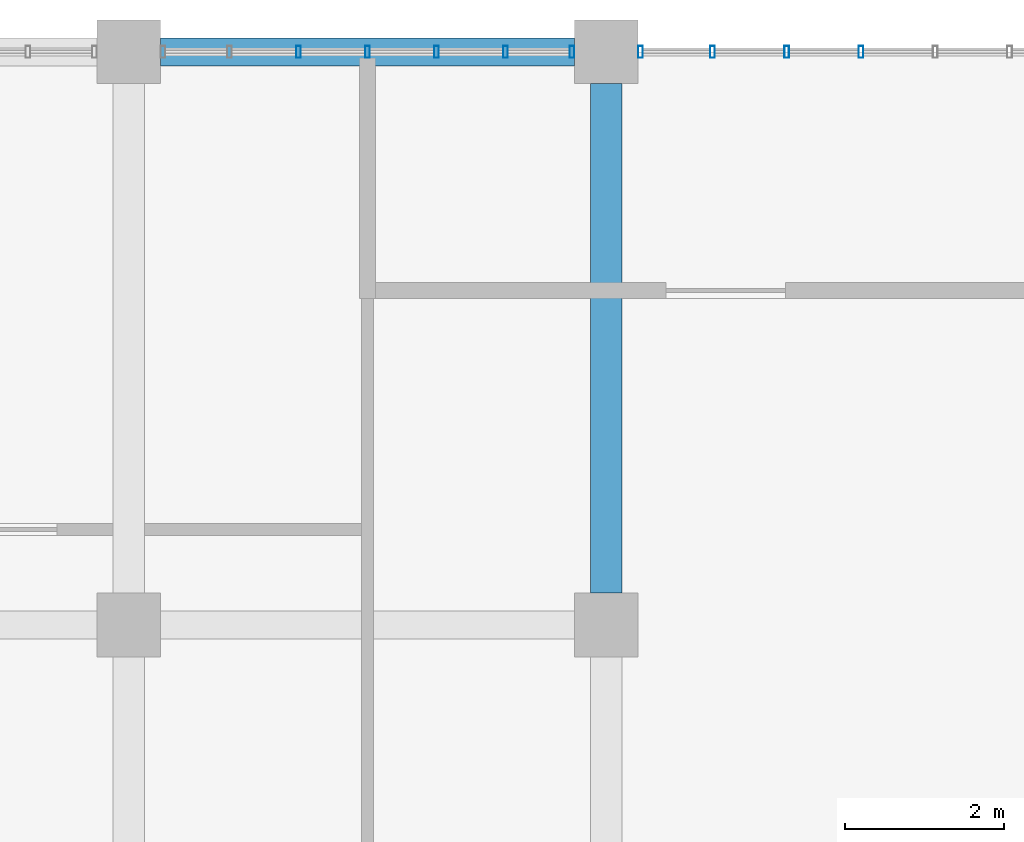
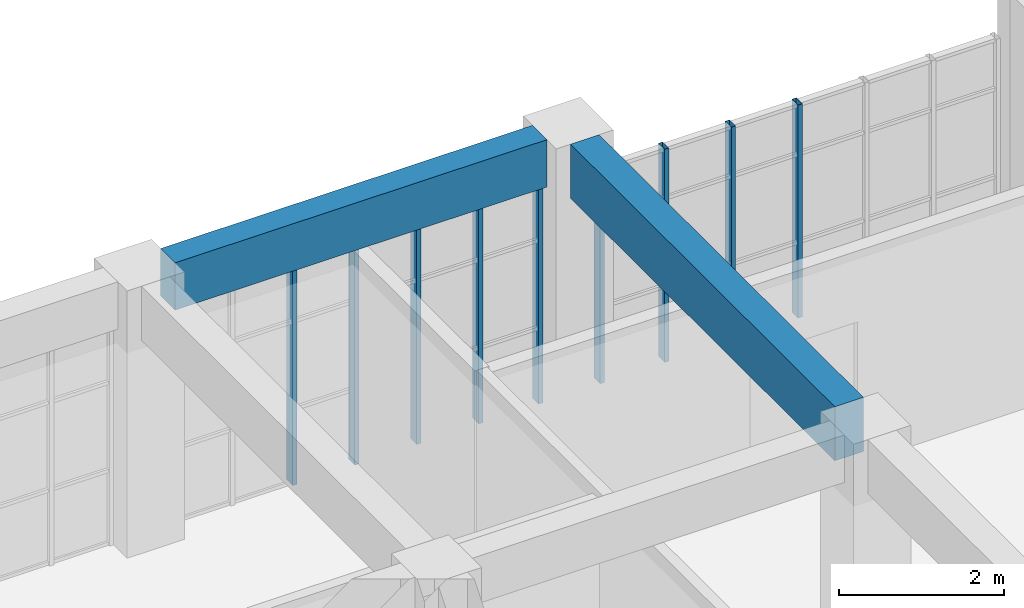
# One storey, part 11 of 51: 9 members, 2 beams, 2 elements without a shape of their own.
"""IFC4 building model written with IfcOpenShell, lengths in metres."""

from ifc_helpers import new_model, si_unit, direction, frame, origin, origin_2d, place, context, subcontext, project, spatial, rectangle, hollow_rectangle, extrude, material, material_profile, profile_set, type_object, element, aggregate, save


model = new_model("IFC4")

# Units and contexts
model_context = context("Model", 3, precision=1e-05, world=origin(), true_north=direction((0.0, 1.0)))
body_context = subcontext(model_context, "Body", "Model", "MODEL_VIEW")
ifc_project = project(units=[si_unit("LENGTHUNIT", "METRE"), si_unit("AREAUNIT", "SQUARE_METRE"), si_unit("VOLUMEUNIT", "CUBIC_METRE"), si_unit("PLANEANGLEUNIT", "RADIAN"), si_unit("MASSUNIT", "GRAM", prefix="KILO")], contexts=[model_context])

# Site, building, storey
site_placement = place(None, origin())
site = spatial("IfcSite", under=ifc_project, at=site_placement, CompositionType="ELEMENT")
building_placement = place(site_placement, origin())
building = spatial("IfcBuilding", under=site, at=building_placement, Name="Laocheng Heights Fire and Rescue Headquarters", CompositionType="ELEMENT")
storey_placement = place(building_placement, frame((0.0, 0.0, 21.0)))
storey = spatial("IfcBuildingStorey", under=building, at=storey_placement, Name="L05", CompositionType="ELEMENT", Elevation=21.0)

# Curtain wall, members
ifc_material_1 = material(Name="Dark anodised aluminium unitised curtain wall, low-e double glazing", Category="aluminium")
curtain_wall_type_1 = type_object("IfcCurtainWallType", Name="CW 5200 x 3250 HQ NORTH GLAZING", PredefinedType="NOTDEFINED", material=ifc_material_1)
curtain_wall_1_placement = place(storey_placement, origin())
curtain_wall_1 = element("IfcCurtainWall", 1, at=curtain_wall_1_placement, inside=storey, type_object=curtain_wall_type_1, Name="X26-X HQ NORTH L05", PredefinedType="NOTDEFINED")
ifc_material_2 = material(Name="Dark anodised aluminium 6063-T5 extrusion", Category="aluminium")
ifc_material_profile_1 = material_profile(ifc_material_2, hollow_rectangle(XDim=0.14990234375, YDim=0.06005859375, WallThickness=0.0029296875, at=origin_2d()), Name="AL MULLION 150x60x3 HQ NORTH GLAZING")
ifc_profile_set_1 = profile_set([ifc_material_profile_1], Name="Dark anodised aluminium 6063-T5 extrusion")
member_type = type_object("IfcMemberType", Name="AL MULLION 150x60x3 HQ NORTH GLAZING", PredefinedType="MULLION", material=ifc_profile_set_1)
member_1_placement = place(storey_placement, frame((56.13330078125, 72.0, 0.0), z_axis=(0.0, 0.0, 1.0), x_axis=(0.0, 1.0, 0.0)))
member_1 = element("IfcMember", 2, at=member_1_placement, type_object=member_type, Name="X26-X mullion 3", PredefinedType="MULLION", context=body_context, shape_type="SweptSolid", body=[
    extrude(hollow_rectangle(XDim=0.14990234375, YDim=0.06005859375, WallThickness=0.0029296875, at=origin_2d()), origin(), (0.0, 0.0, 1.0), 3.25),
])
member_2_placement = place(storey_placement, frame((57.0, 72.0, 0.0), z_axis=(0.0, 0.0, 1.0), x_axis=(0.0, 1.0, 0.0)))
member_2 = element("IfcMember", 3, at=member_2_placement, type_object=member_type, Name="X26-X mullion 4", PredefinedType="MULLION", context=body_context, shape_type="SweptSolid", body=[
    extrude(hollow_rectangle(XDim=0.14990234375, YDim=0.06005859375, WallThickness=0.0029296875, at=origin_2d()), origin(), (0.0, 0.0, 1.0), 3.25),
])
member_3_placement = place(storey_placement, frame((57.86669921875, 72.0, 0.0), z_axis=(0.0, 0.0, 1.0), x_axis=(0.0, 1.0, 0.0)))
member_3 = element("IfcMember", 4, at=member_3_placement, type_object=member_type, Name="X26-X mullion 5", PredefinedType="MULLION", context=body_context, shape_type="SweptSolid", body=[
    extrude(hollow_rectangle(XDim=0.14990234375, YDim=0.06005859375, WallThickness=0.0029296875, at=origin_2d()), origin(), (0.0, 0.0, 1.0), 3.25),
])
member_4_placement = place(storey_placement, frame((58.7333984375, 72.0, 0.0), z_axis=(0.0, 0.0, 1.0), x_axis=(0.0, 1.0, 0.0)))
member_4 = element("IfcMember", 5, at=member_4_placement, type_object=member_type, Name="X26-X mullion 6", PredefinedType="MULLION", context=body_context, shape_type="SweptSolid", body=[
    extrude(hollow_rectangle(XDim=0.14990234375, YDim=0.06005859375, WallThickness=0.0029296875, at=origin_2d()), origin(), (0.0, 0.0, 1.0), 3.25),
])
member_5_placement = place(storey_placement, frame((59.570068359375, 72.0, 0.0), z_axis=(0.0, 0.0, 1.0), x_axis=(0.0, 1.0, 0.0)))
member_5 = element("IfcMember", 6, at=member_5_placement, type_object=member_type, Name="X26-X mullion 7", PredefinedType="MULLION", context=body_context, shape_type="SweptSolid", body=[
    extrude(hollow_rectangle(XDim=0.14990234375, YDim=0.06005859375, WallThickness=0.0029296875, at=origin_2d()), origin(), (0.0, 0.0, 1.0), 3.25),
])
aggregate(curtain_wall_1, [member_1, member_2, member_3, member_4, member_5])

ifc_material_3 = material(Name="Dark anodised aluminium unitised curtain wall, low-e double glazing", Category="aluminium")
curtain_wall_type_2 = type_object("IfcCurtainWallType", Name="CW 5600 x 3150 HQ NORTH GLAZING", PredefinedType="NOTDEFINED", material=ifc_material_3)
curtain_wall_2_placement = place(storey_placement, origin())
curtain_wall_2 = element("IfcCurtainWall", 7, at=curtain_wall_2_placement, inside=storey, type_object=curtain_wall_type_2, Name="X27-X HQ NORTH L05", PredefinedType="NOTDEFINED")
member_6_placement = place(storey_placement, frame((60.429931640625, 72.0, 0.0), z_axis=(0.0, 0.0, 1.0), x_axis=(0.0, 1.0, 0.0)))
member_6 = element("IfcMember", 8, at=member_6_placement, type_object=member_type, Name="X27-X mullion 1", PredefinedType="MULLION", context=body_context, shape_type="SweptSolid", body=[
    extrude(hollow_rectangle(XDim=0.14990234375, YDim=0.06005859375, WallThickness=0.0029296875, at=origin_2d()), origin(), (0.0, 0.0, 1.0), 3.14990234375),
])
member_7_placement = place(storey_placement, frame((61.333251953125, 72.0, 0.0), z_axis=(0.0, 0.0, 1.0), x_axis=(0.0, 1.0, 0.0)))
member_7 = element("IfcMember", 9, at=member_7_placement, type_object=member_type, Name="X27-X mullion 2", PredefinedType="MULLION", context=body_context, shape_type="SweptSolid", body=[
    extrude(hollow_rectangle(XDim=0.14990234375, YDim=0.06005859375, WallThickness=0.0029296875, at=origin_2d()), origin(), (0.0, 0.0, 1.0), 3.14990234375),
])
member_8_placement = place(storey_placement, frame((62.2666015625, 72.0, 0.0), z_axis=(0.0, 0.0, 1.0), x_axis=(0.0, 1.0, 0.0)))
member_8 = element("IfcMember", 10, at=member_8_placement, type_object=member_type, Name="X27-X mullion 3", PredefinedType="MULLION", context=body_context, shape_type="SweptSolid", body=[
    extrude(hollow_rectangle(XDim=0.14990234375, YDim=0.06005859375, WallThickness=0.0029296875, at=origin_2d()), origin(), (0.0, 0.0, 1.0), 3.14990234375),
])
member_9_placement = place(storey_placement, frame((63.199951171875, 72.0, 0.0), z_axis=(0.0, 0.0, 1.0), x_axis=(0.0, 1.0, 0.0)))
member_9 = element("IfcMember", 11, at=member_9_placement, type_object=member_type, Name="X27-X mullion 4", PredefinedType="MULLION", context=body_context, shape_type="SweptSolid", body=[
    extrude(hollow_rectangle(XDim=0.14990234375, YDim=0.06005859375, WallThickness=0.0029296875, at=origin_2d()), origin(), (0.0, 0.0, 1.0), 3.14990234375),
])
aggregate(curtain_wall_2, [member_6, member_7, member_8, member_9])

# Beams
ifc_material_4 = material(Name="Concrete C40", Category="concrete")
ifc_material_profile_2 = material_profile(ifc_material_4, rectangle(XDim=0.35009765625, YDim=0.699951171875, at=origin_2d()), Name="RC BEAM 350x700 HQ ROOF")
ifc_profile_set_2 = profile_set([ifc_material_profile_2], Name="Concrete C40")
beam_type_1 = type_object("IfcBeamType", Name="RC BEAM 350x700 HQ ROOF", PredefinedType="BEAM", material=ifc_profile_set_2)
beam_1_placement = place(storey_placement, frame((54.39990234375, 72.0, 3.60009765625), z_axis=(1.0, 0.0, 0.0), x_axis=(0.0, 1.0, 0.0)))
element("IfcBeam", 12, at=beam_1_placement, inside=storey, type_object=beam_type_1, Name="HQ beam L05", PredefinedType="BEAM", context=body_context, shape_type="SweptSolid", body=[
    extrude(rectangle(XDim=0.35009765625, YDim=0.699951171875, at=origin_2d()), origin(), (0.0, 0.0, 1.0), 5.2001953125),
])
ifc_material_5 = material(Name="Concrete C40", Category="concrete")
ifc_material_profile_3 = material_profile(ifc_material_5, rectangle(XDim=0.39990234375, YDim=0.800048828125, at=origin_2d()), Name="RC BEAM 400x800 HQ ROOF")
ifc_profile_set_3 = profile_set([ifc_material_profile_3], Name="Concrete C40")
beam_type_2 = type_object("IfcBeamType", Name="RC BEAM 400x800 HQ ROOF", PredefinedType="BEAM", material=ifc_profile_set_3)
beam_2_placement = place(storey_placement, frame((60.0, 65.199951171875, 3.550048828125), z_axis=(0.0, 1.0, 0.0), x_axis=(-1.0, 0.0, 0.0)))
element("IfcBeam", 13, at=beam_2_placement, inside=storey, type_object=beam_type_2, Name="HQ beam L05", PredefinedType="BEAM", context=body_context, shape_type="SweptSolid", body=[
    extrude(rectangle(XDim=0.39990234375, YDim=0.800048828125, at=origin_2d()), origin(), (0.0, 0.0, 1.0), 6.400146484375),
])

save(model, "model.ifc")
